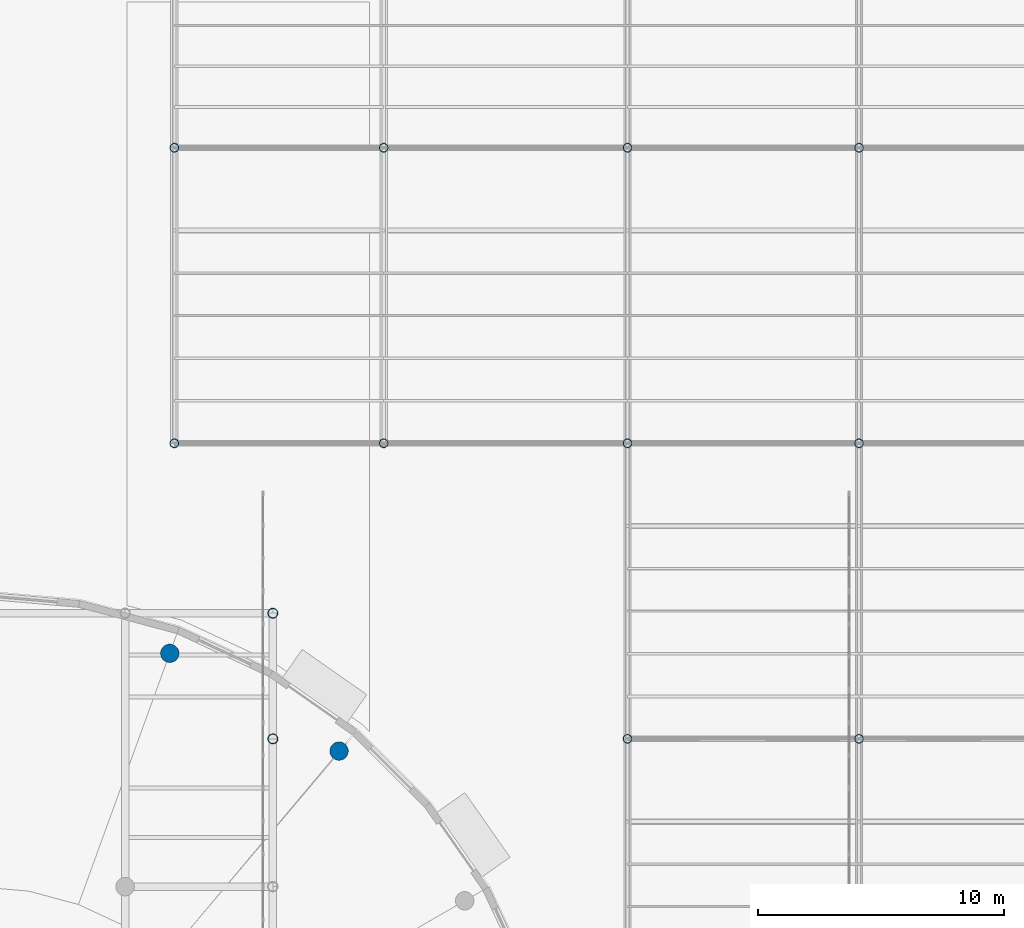
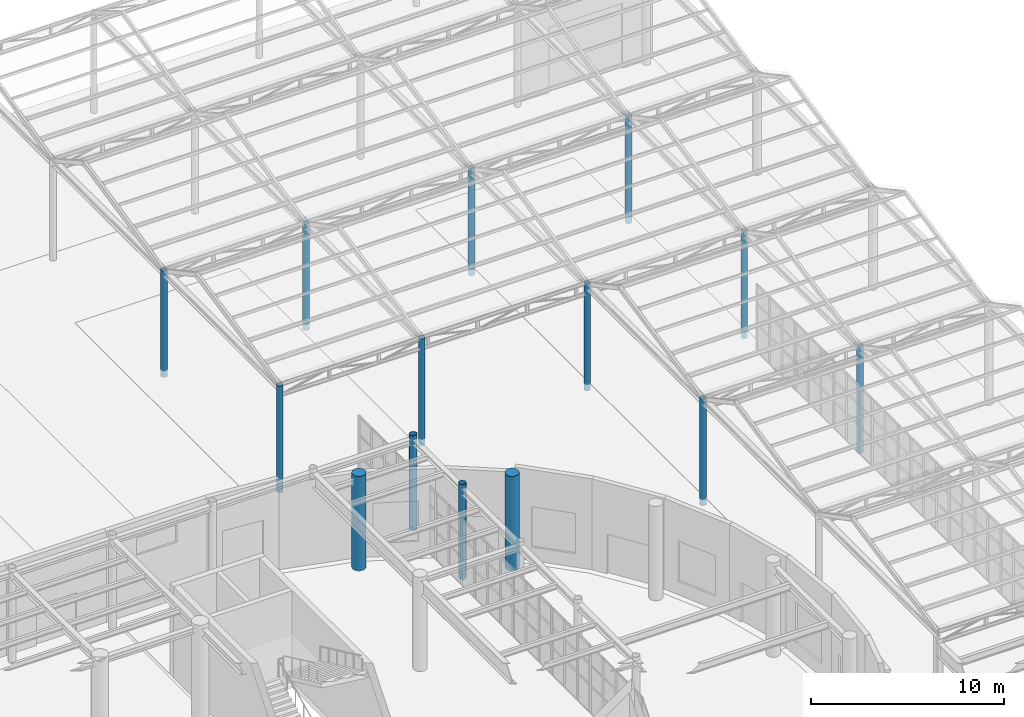
# One storey, part 15 of 118: 14 columns.
"""IFC4 building model written with IfcOpenShell, lengths in metres."""

import ifcopenshell
import ifcopenshell.guid

model = None  # the IFC model being written
_history = None  # IfcOwnerHistory: only IFC2X3 demands one
_inside = {}  # id of a spatial element -> (the spatial element, [elements in it])
_under = {}  # id of a project, library or spatial element -> (it, [spatial elements below it])
_declared = {}  # id of a project -> (the project, [libraries it declares])
_typed = {}  # id of a type object -> (the type object, [elements of that type])
_made_of = {}  # id of a material, layer set ... -> (it, [elements and type objects made of it])


def new_model(schema):
    """Start an empty IFC model of exactly this schema.

    Asked for "IFC4X3", IfcOpenShell would pick the latest addendum, in which some entities
    have other attributes; the version numbers below select the first issue.
    IFC2X3 requires an IfcOwnerHistory on every rooted entity: one is made here for all.
    """
    global model, _history
    if schema == "IFC4X3":
        model = ifcopenshell.file(schema_version=(4, 3, 0, 0))
    else:
        model = ifcopenshell.file(schema=schema)
    _inside.clear()
    _under.clear()
    _declared.clear()
    _typed.clear()
    _made_of.clear()
    _history = None
    if model.schema == "IFC2X3":
        org = make("IfcOrganization", Name="unknown")
        user = make(
            "IfcPersonAndOrganization",
            ThePerson=make("IfcPerson", FamilyName="unknown"),
            TheOrganization=org,
        )
        app = make(
            "IfcApplication",
            ApplicationDeveloper=org,
            Version="unknown",
            ApplicationFullName="unknown",
            ApplicationIdentifier="unknown",
        )
        _history = make(
            "IfcOwnerHistory",
            OwningUser=user,
            OwningApplication=app,
            ChangeAction="ADDED",
            CreationDate=0,
        )
    return model


def make(cls, **values):
    """One entity of the class cls with the attributes given. An attribute that is None is left unset."""
    return model.create_entity(
        cls, **{name: value for name, value in values.items() if value is not None}
    )


def rooted(cls, **values):
    """An entity with a GlobalId (a new one), such as an element, a storey or a relation."""
    return make(cls, GlobalId=ifcopenshell.guid.new(), OwnerHistory=_history, **values)


def si_unit(unit_type, name, prefix=None):
    """IfcSIUnit, for example si_unit("LENGTHUNIT", "METRE", prefix="MILLI")."""
    return make("IfcSIUnit", UnitType=unit_type, Prefix=prefix, Name=name)


def assignment(units):
    """IfcUnitAssignment: the units of a project."""
    return None if units is None else make("IfcUnitAssignment", Units=units)


def point(xyz):
    """IfcCartesianPoint."""
    return None if xyz is None else make("IfcCartesianPoint", Coordinates=xyz)


def direction(xyz):
    """IfcDirection."""
    return None if xyz is None else make("IfcDirection", DirectionRatios=xyz)


def frame(location, z_axis=None, x_axis=None):
    """IfcAxis2Placement3D, a coordinate frame: its origin and axes. An axis left out is left unset."""
    return make(
        "IfcAxis2Placement3D",
        Location=point(location),
        Axis=direction(z_axis),
        RefDirection=direction(x_axis),
    )


def frame_2d(location, x_axis=None):
    """IfcAxis2Placement2D, a coordinate frame in the plane: its origin and x axis."""
    return make(
        "IfcAxis2Placement2D", Location=point(location), RefDirection=direction(x_axis)
    )


def origin():
    """The frame at (0, 0, 0) with its axes left unset."""
    return frame((0.0, 0.0, 0.0))


def origin_2d():
    """The frame at (0, 0) in the plane with its x axis left unset."""
    return frame_2d((0.0, 0.0))


def place(relative_to, where):
    """IfcLocalPlacement: puts the frame where relative to a parent placement (None: the world)."""
    return make(
        "IfcLocalPlacement", PlacementRelTo=relative_to, RelativePlacement=where
    )


def context(
    kind, dimensions, precision=None, world=None, true_north=None, identifier=None
):
    """IfcGeometricRepresentationContext, for example the 3D "Model" context."""
    return make(
        "IfcGeometricRepresentationContext",
        ContextIdentifier=identifier,
        ContextType=kind,
        CoordinateSpaceDimension=dimensions,
        Precision=precision,
        WorldCoordinateSystem=world,
        TrueNorth=true_north,
    )


def subcontext(parent, identifier, kind, view, scale=None):
    """IfcGeometricRepresentationSubContext, for example "Body" below "Model"."""
    return make(
        "IfcGeometricRepresentationSubContext",
        ContextIdentifier=identifier,
        ContextType=kind,
        ParentContext=parent,
        TargetScale=scale,
        TargetView=view,
    )


def project(units=None, contexts=None):
    """IfcProject with its units and contexts."""
    return rooted(
        "IfcProject",
        Name="project",
        RepresentationContexts=contexts,
        UnitsInContext=assignment(units),
    )


def spatial(cls, under=None, at=None, **own):
    """A site, building, storey or space (cls), placed at a placement, below another one or the project."""
    s = rooted(cls, ObjectPlacement=at, **own)
    if under is not None:
        _under.setdefault(under.id(), (under, []))[1].append(s)
    return s


def profile(cls, at=None, kind="AREA", **sizes):
    """A parametric profile (cls). Its sizes go by their IFC names, for example OverallWidth=200.0."""
    return make(cls, ProfileType=kind, Position=at, **sizes)


def circle(**sizes):
    """IfcCircleProfileDef."""
    return profile("IfcCircleProfileDef", **sizes)


def hollow_circle(**sizes):
    """IfcCircleHollowProfileDef."""
    return profile("IfcCircleHollowProfileDef", **sizes)


def extrude(swept, where, along, depth):
    """IfcExtrudedAreaSolid: the profile swept, set in the frame where, extruded along a direction by depth."""
    return make(
        "IfcExtrudedAreaSolid",
        SweptArea=swept,
        Position=where,
        ExtrudedDirection=direction(along),
        Depth=depth,
    )


def shape(context_of_items, identifier, shape_type, items):
    """IfcShapeRepresentation: the items that make up one representation, for example the "Body"."""
    return make(
        "IfcShapeRepresentation",
        ContextOfItems=context_of_items,
        RepresentationIdentifier=identifier,
        RepresentationType=shape_type,
        Items=items,
    )


def material(Name=None, Category=None):
    """IfcMaterial."""
    return make("IfcMaterial", Name=Name, Category=Category)


def material_profile(
    of_material, cross_section, Name=None, Category=None, Priority=None
):
    """IfcMaterialProfile: a cross section and its material."""
    return make(
        "IfcMaterialProfile",
        Name=Name,
        Material=of_material,
        Profile=cross_section,
        Priority=Priority,
        Category=Category,
    )


def profile_set(profiles, Name=None, composite=None):
    """IfcMaterialProfileSet."""
    return make(
        "IfcMaterialProfileSet",
        Name=Name,
        MaterialProfiles=profiles,
        CompositeProfile=composite,
    )


def made_of(thing, what):
    """Note that an element or type object is made of a material, layer set ...; save() writes the relation."""
    if what is not None:
        _made_of.setdefault(what.id(), (what, []))[1].append(thing)
    return thing


def type_object(cls, material=None, **own):
    """A type object (cls), such as IfcWallType, which elements share."""
    return made_of(rooted(cls, **own), material)


def element(
    cls,
    number,
    at=None,
    inside=None,
    cuts=None,
    type_object=None,
    material=None,
    context=None,
    identifier="Body",
    shape_type=None,
    held_by="IfcProductDefinitionShape",
    body=None,
    shapes=None,
    **own,
):
    """One element of the class cls, such as IfcWall. Its Tag is "e" and its number.

    at: its placement. inside: the storey or other place that contains it. cuts: it is an
    opening in that element (IfcRelVoidsElement). A single representation is given by context,
    identifier, shape_type and body (its items); several are given by shapes. held_by: the class
    of the entity that holds the representations. save() writes the other relations.
    """
    e = rooted(cls, Tag="e%d" % number, ObjectPlacement=at, **own)
    if body is not None:
        shapes = [shape(context, identifier, shape_type, body)]
    if shapes is not None:
        e.Representation = make(held_by, Representations=shapes)
    if inside is not None:
        _inside.setdefault(inside.id(), (inside, []))[1].append(e)
    if cuts is not None:
        rooted(
            "IfcRelVoidsElement", RelatingBuildingElement=cuts, RelatedOpeningElement=e
        )
    if type_object is not None:
        _typed.setdefault(type_object.id(), (type_object, []))[1].append(e)
    return made_of(e, material)


def aggregate(whole, parts):
    """IfcRelAggregates: a whole, such as a stair, and the parts it consists of."""
    return rooted("IfcRelAggregates", RelatingObject=whole, RelatedObjects=parts)


def save(model, path):
    """Write the relations noted so far, then the file.

    IfcRelAggregates (storeys below a building ...), IfcRelContainedInSpatialStructure (elements
    in a storey), IfcRelDefinesByType, IfcRelAssociatesMaterial and IfcRelDeclares: one each for
    every whole, place, type object, material and project.
    """
    for whole, parts in _under.values():
        aggregate(whole, parts)
    for where, things in _inside.values():
        rooted(
            "IfcRelContainedInSpatialStructure",
            RelatedElements=things,
            RelatingStructure=where,
        )
    for kind, things in _typed.values():
        rooted("IfcRelDefinesByType", RelatedObjects=things, RelatingType=kind)
    for what, things in _made_of.values():
        rooted("IfcRelAssociatesMaterial", RelatedObjects=things, RelatingMaterial=what)
    for by, libraries in _declared.values():
        rooted("IfcRelDeclares", RelatingContext=by, RelatedDefinitions=libraries)
    model.write(path)


model = new_model("IFC4")

# Units and contexts
model_context = context("Model", 3, precision=1e-05, world=origin(), true_north=direction((0.0, 1.0)))
body_context = subcontext(model_context, "Body", "Model", "MODEL_VIEW")
ifc_project = project(units=[si_unit("LENGTHUNIT", "METRE"), si_unit("AREAUNIT", "SQUARE_METRE"), si_unit("VOLUMEUNIT", "CUBIC_METRE"), si_unit("PLANEANGLEUNIT", "RADIAN"), si_unit("MASSUNIT", "GRAM", prefix="KILO")], contexts=[model_context])

# Site, building, storey
site_placement = place(None, origin())
site = spatial("IfcSite", under=ifc_project, at=site_placement, CompositionType="ELEMENT")
building_placement = place(site_placement, origin())
building = spatial("IfcBuilding", under=site, at=building_placement, Name="Kolvaren Corner Interchange", CompositionType="ELEMENT")
storey_placement = place(building_placement, origin())
storey = spatial("IfcBuildingStorey", under=building, at=storey_placement, Name="L01", CompositionType="ELEMENT", Elevation=0.0)

# Columns
ifc_material_1 = material(Name="Steel S355", Category="steel")
ifc_material_profile_1 = material_profile(ifc_material_1, hollow_circle(Radius=0.177734375, WallThickness=0.01416015625, at=origin_2d()), Name="CHS 355.6x14.2")
ifc_profile_set_1 = profile_set([ifc_material_profile_1], Name="Steel S355")
column_type_1 = type_object("IfcColumnType", Name="COL-CHS356", PredefinedType="COLUMN", material=ifc_profile_set_1)
for number, where, z_axis, x_axis, name in (
    (1, (128.0, 78.0, -0.39990234375), (0.0, 0.0, 1.0), (1.0, 0.0, 0.0), "Storey L01 Structural Column 0942"),
    (2, (128.0, 90.0, -0.39990234375), (0.0, 0.0, 1.0), (1.0, 0.0, 0.0), "Storey L01 Structural Column 0943"),
    (3, (136.5, 78.0, -0.39990234375), (0.0, 0.0, 1.0), (1.0, 0.0, 0.0), "Storey L01 Structural Column 0950"),
    (4, (136.5, 90.0, -0.39990234375), (0.0, 0.0, 1.0), (1.0, 0.0, 0.0), "Storey L01 Structural Column 0951"),
    (5, (146.39990234375, 66.0, -0.39990234375), (0.0, 0.0, 1.0), (1.0, 0.0, 0.0), "Storey L01 Structural Column 0963"),
    (6, (146.39990234375, 78.0, -0.39990234375), (0.0, 0.0, 1.0), (1.0, 0.0, 0.0), "Storey L01 Structural Column 0964"),
    (7, (146.39990234375, 90.0, -0.39990234375), (0.0, 0.0, 1.0), (1.0, 0.0, 0.0), "Storey L01 Structural Column 0965"),
    (8, (155.800048828125, 66.0, -0.39990234375), (0.0, 0.0, 1.0), (1.0, 0.0, 0.0), "Storey L01 Structural Column 0977"),
    (9, (155.800048828125, 78.0, -0.39990234375), (0.0, 0.0, 1.0), (1.0, 0.0, 0.0), "Storey L01 Structural Column 0978"),
    (10, (155.800048828125, 90.0, -0.39990234375), (0.0, 0.0, 1.0), (1.0, 0.0, 0.0), "Storey L01 Structural Column 0979"),
):
    element("IfcColumn", number, at=place(storey_placement, frame(where, z_axis=z_axis, x_axis=x_axis)), inside=storey, type_object=column_type_1, Name=name, PredefinedType="COLUMN", context=body_context, shape_type="SweptSolid", body=[
        extrude(hollow_circle(Radius=0.177734375, WallThickness=0.01416015625, at=origin_2d()), origin(), (0.0, 0.0, 1.0), 6.75),
    ])
ifc_material_2 = material(Name="Steel S355", Category="steel")
ifc_material_profile_2 = material_profile(ifc_material_2, hollow_circle(Radius=0.203125, WallThickness=0.01611328125, at=origin_2d()), Name="CHS 406.4x16.0")
ifc_profile_set_2 = profile_set([ifc_material_profile_2], Name="Steel S355")
column_type_2 = type_object("IfcColumnType", Name="COL-CHS406", PredefinedType="COLUMN", material=ifc_profile_set_2)
for number, where, z_axis, x_axis, name in (
    (11, (132.0, 66.0, 0.0), (0.0, 0.0, 1.0), (1.0, 0.0, 0.0), "Storey L01 Structural Column 0776"),
    (12, (132.0, 71.10009765625, 0.0), (0.0, 0.0, 1.0), (1.0, 0.0, 0.0), "Storey L01 Structural Column 0780"),
):
    element("IfcColumn", number, at=place(storey_placement, frame(where, z_axis=z_axis, x_axis=x_axis)), inside=storey, type_object=column_type_2, Name=name, PredefinedType="COLUMN", context=body_context, shape_type="SweptSolid", body=[
        extrude(hollow_circle(Radius=0.203125, WallThickness=0.01611328125, at=origin_2d()), origin(), (0.0, 0.0, 1.0), 6.0),
    ])
ifc_material_3 = material(Name="Concrete C35/45", Category="concrete")
ifc_material_profile_3 = material_profile(ifc_material_3, circle(Radius=0.375, at=origin_2d()), Name="RC COL D750")
ifc_profile_set_3 = profile_set([ifc_material_profile_3], Name="Concrete C35/45")
column_type_3 = type_object("IfcColumnType", Name="COL-RCD750", PredefinedType="COLUMN", material=ifc_profile_set_3)
for number, where, z_axis, x_axis, name in (
    (13, (134.68798828125, 65.50390625, 0.0), (0.0, 0.0, 1.0), (1.0, 0.0, 0.0), "Storey L01 Structural Column 0840"),
    (14, (127.81494140625, 69.471923828125, 0.0), (0.0, 0.0, 1.0), (1.0, 0.0, 0.0), "Storey L01 Structural Column 0844"),
):
    element("IfcColumn", number, at=place(storey_placement, frame(where, z_axis=z_axis, x_axis=x_axis)), inside=storey, type_object=column_type_3, Name=name, PredefinedType="COLUMN", context=body_context, shape_type="SweptSolid", body=[
        extrude(circle(Radius=0.375, at=origin_2d()), origin(), (0.0, 0.0, 1.0), 6.0),
    ])

save(model, "model.ifc")
